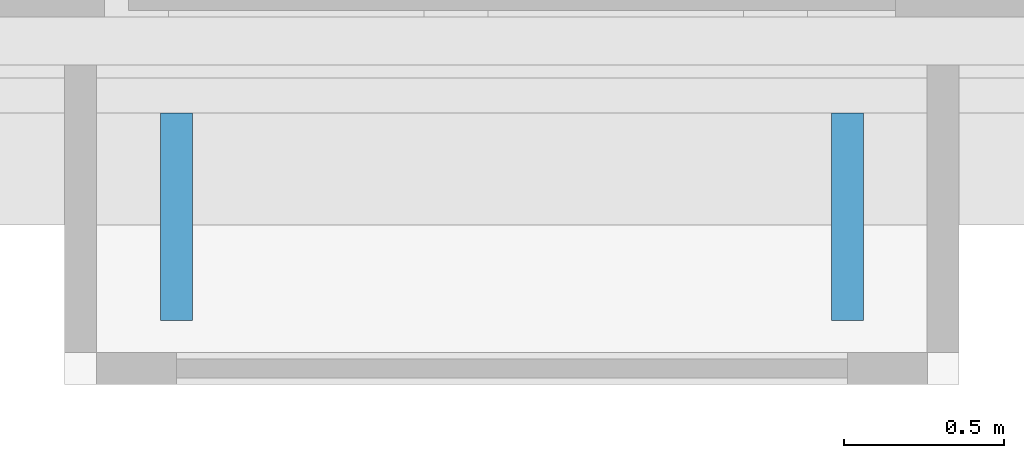
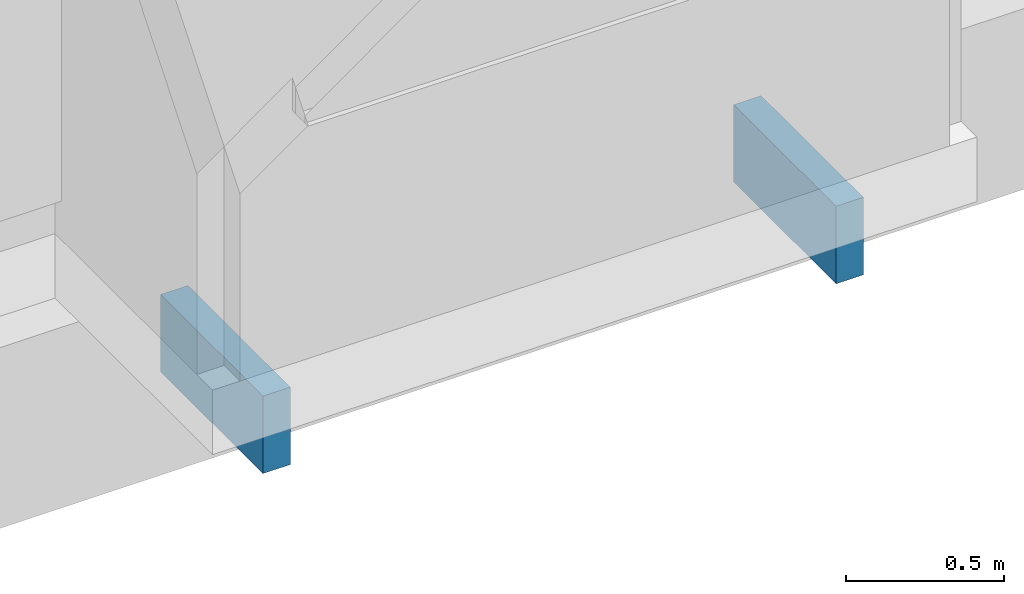
# One storey, part 54 of 80: 2 discrete accessories.
"""IFC4 building model written with IfcOpenShell, lengths in metres."""

from ifc_helpers import new_model, si_unit, direction, frame, origin, origin_2d, place, context, subcontext, project, spatial, rectangle, extrude, element, save


model = new_model("IFC4")

# Units and contexts
model_context = context("Model", 3, precision=1e-05, world=origin(), true_north=direction((0.0, 1.0)))
body_context = subcontext(model_context, "Body", "Model", "MODEL_VIEW")
ifc_project = project(units=[si_unit("LENGTHUNIT", "METRE"), si_unit("AREAUNIT", "SQUARE_METRE"), si_unit("VOLUMEUNIT", "CUBIC_METRE"), si_unit("PLANEANGLEUNIT", "RADIAN"), si_unit("MASSUNIT", "GRAM", prefix="KILO")], contexts=[model_context])

# Site, building, storey
site_placement = place(None, origin())
site = spatial("IfcSite", under=ifc_project, at=site_placement, CompositionType="ELEMENT")
building_placement = place(site_placement, origin())
building = spatial("IfcBuilding", under=site, at=building_placement, Name="Saffron Lane Theatres", CompositionType="ELEMENT")
storey_placement = place(building_placement, frame((0.0, 0.0, 7.0)))
storey = spatial("IfcBuildingStorey", under=building, at=storey_placement, Name="L01", CompositionType="ELEMENT", Elevation=7.0)

# Discrete accessories
for number, where, z_axis, x_axis, name in (
    (1, (10.22509765625, 101.52490234375, -0.5498046875), (0.0, 0.0, 1.0), (-1.0, 0.0, 0.0), "Cumba bracket 1"),
    (2, (8.125, 101.52490234375, -0.5498046875), (0.0, 0.0, 1.0), (-1.0, 0.0, 0.0), "Cumba bracket 1"),
):
    element("IfcDiscreteAccessory", number, at=place(storey_placement, frame(where, z_axis=z_axis, x_axis=x_axis)), inside=storey, Name=name, PredefinedType="BRACKET", context=body_context, shape_type="SweptSolid", body=[
        extrude(rectangle(XDim=0.10009765625, YDim=0.64990234375, at=origin_2d()), origin(), (0.0, 0.0, 1.0), 0.300048828125),
    ])

save(model, "model.ifc")
